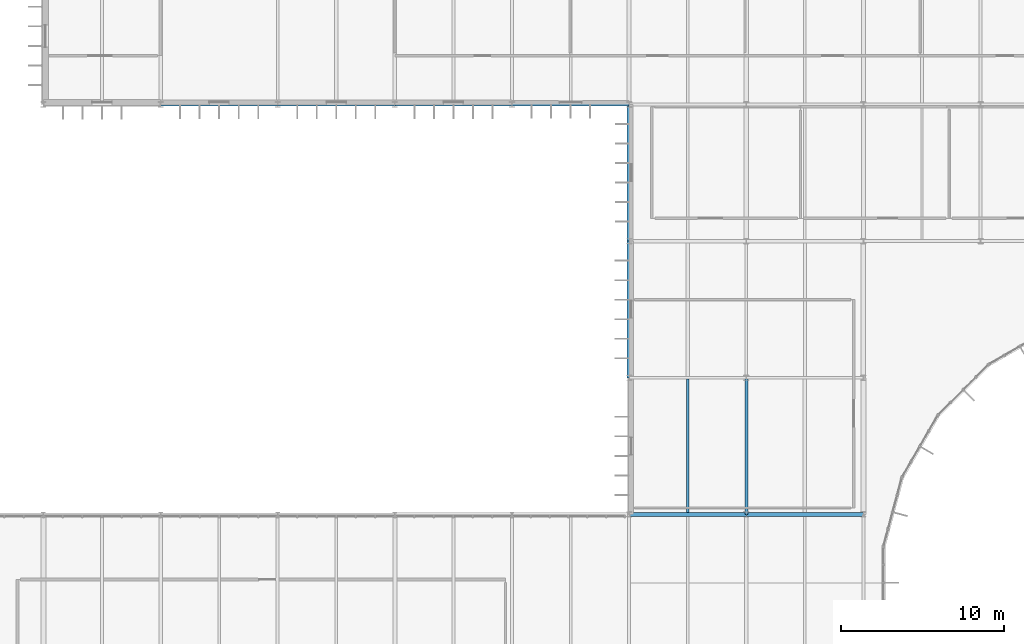
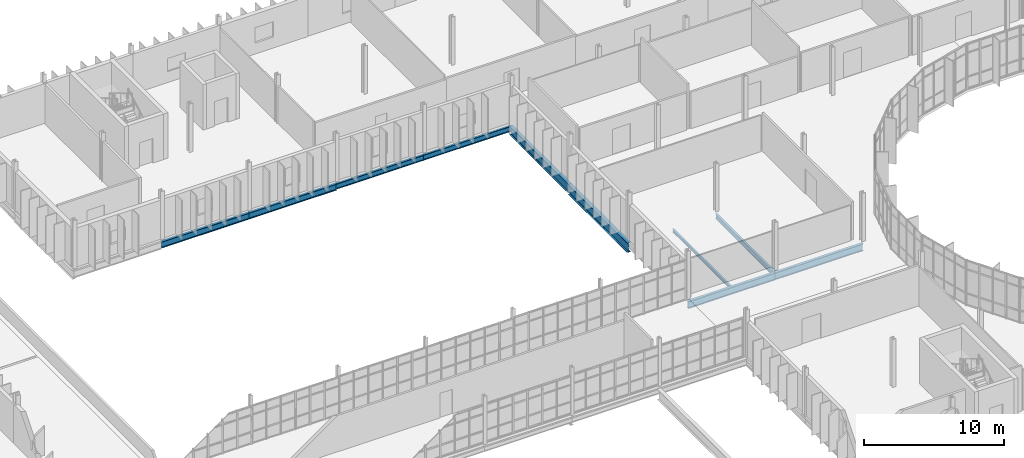
# One storey, part 46 of 99: 10 beams.
"""IFC4 building model written with IfcOpenShell, lengths in metres."""

from ifc_helpers import new_model, si_unit, direction, frame, origin, origin_2d, place, context, subcontext, project, spatial, i_section, extrude, material, material_profile, profile_set, type_object, element, save


model = new_model("IFC4")

# Units and contexts
model_context = context("Model", 3, precision=1e-05, world=origin(), true_north=direction((0.0, 1.0)))
body_context = subcontext(model_context, "Body", "Model", "MODEL_VIEW")
ifc_project = project(units=[si_unit("LENGTHUNIT", "METRE"), si_unit("AREAUNIT", "SQUARE_METRE"), si_unit("VOLUMEUNIT", "CUBIC_METRE"), si_unit("PLANEANGLEUNIT", "RADIAN"), si_unit("MASSUNIT", "GRAM", prefix="KILO")], contexts=[model_context])

# Site, building, storey
site_placement = place(None, origin())
site = spatial("IfcSite", under=ifc_project, at=site_placement, CompositionType="ELEMENT")
building_placement = place(site_placement, origin())
building = spatial("IfcBuilding", under=site, at=building_placement, Name="Qelthora Terrace Specialist Clinic", CompositionType="ELEMENT")
storey_placement = place(building_placement, frame((0.0, 0.0, 9.0)))
storey = spatial("IfcBuildingStorey", under=building, at=storey_placement, Name="L02", CompositionType="ELEMENT", Elevation=9.0)

# Beams
ifc_material = material(Name="Steel S355", Category="steel")
ifc_material_profile_1 = material_profile(ifc_material, i_section(OverallWidth=0.179931640625, OverallDepth=0.4130859375, WebThickness=0.009765625, FlangeThickness=0.01611328125, FilletRadius=0.011962890625, at=origin_2d()), Name="W410X75")
ifc_profile_set_1 = profile_set([ifc_material_profile_1], Name="Steel S355")
beam_type_1 = type_object("IfcBeamType", Name="BM-W410X75", PredefinedType="BEAM", material=ifc_profile_set_1)
beam_1_placement = place(storey_placement, frame((100.800048828125, 67.199951171875, -0.45654296875), z_axis=(0.0, 1.0, 0.0), x_axis=(-1.0, 0.0, 0.0)))
element("IfcBeam", 1, at=beam_1_placement, inside=storey, type_object=beam_type_1, Name="Girder BMY-L02-0849", PredefinedType="BEAM", context=body_context, shape_type="SweptSolid", body=[
    extrude(i_section(OverallWidth=0.179931640625, OverallDepth=0.4130859375, WebThickness=0.009765625, FlangeThickness=0.01611328125, FilletRadius=0.011962890625, at=origin_2d()), origin(), (0.0, 0.0, 1.0), 8.400146484375),
])
ifc_material_profile_2 = material_profile(ifc_material, i_section(OverallWidth=0.19091796875, OverallDepth=0.4599609375, WebThickness=0.010009765625, FlangeThickness=0.01611328125, FilletRadius=0.012939453125, at=origin_2d()), Name="W460X82")
ifc_profile_set_2 = profile_set([ifc_material_profile_2], Name="Steel S355")
beam_type_2 = type_object("IfcBeamType", Name="BM-W460X82", PredefinedType="BEAM", material=ifc_profile_set_2)
beam_2_placement = place(storey_placement, frame((86.39990234375, 92.39990234375, -0.47998046875), z_axis=(1.0, 0.0, 0.0), x_axis=(0.0, 1.0, 0.0)))
element("IfcBeam", 2, at=beam_2_placement, inside=storey, type_object=beam_type_2, Name="Girder BMX-L02-0694", PredefinedType="BEAM", context=body_context, shape_type="SweptSolid", body=[
    extrude(i_section(OverallWidth=0.19091796875, OverallDepth=0.4599609375, WebThickness=0.010009765625, FlangeThickness=0.01611328125, FilletRadius=0.012939453125, at=origin_2d()), origin(), (0.0, 0.0, 1.0), 7.2001953125),
])
ifc_material_profile_3 = material_profile(ifc_material, i_section(OverallWidth=0.193115234375, OverallDepth=0.466064453125, WebThickness=0.011474609375, FlangeThickness=0.01904296875, FilletRadius=0.012939453125, at=origin_2d()), Name="W460X97")
ifc_profile_set_3 = profile_set([ifc_material_profile_3], Name="Steel S355")
beam_type_3 = type_object("IfcBeamType", Name="BM-W460X97", PredefinedType="BEAM", material=ifc_profile_set_3)
beam_3_placement = place(storey_placement, frame((79.199951171875, 92.39990234375, -0.48291015625), z_axis=(1.0, 0.0, 0.0), x_axis=(0.0, 1.0, 0.0)))
element("IfcBeam", 3, at=beam_3_placement, inside=storey, type_object=beam_type_3, Name="Girder BMX-L02-0693", PredefinedType="BEAM", context=body_context, shape_type="SweptSolid", body=[
    extrude(i_section(OverallWidth=0.193115234375, OverallDepth=0.466064453125, WebThickness=0.011474609375, FlangeThickness=0.01904296875, FilletRadius=0.012939453125, at=origin_2d()), origin(), (0.0, 0.0, 1.0), 7.199951171875),
])
ifc_material_profile_4 = material_profile(ifc_material, i_section(OverallWidth=0.2099609375, OverallDepth=0.537109375, WebThickness=0.010986328125, FlangeThickness=0.017333984375, FilletRadius=0.013916015625, at=origin_2d()), Name="W530X101")
ifc_profile_set_4 = profile_set([ifc_material_profile_4], Name="Steel S355")
beam_type_4 = type_object("IfcBeamType", Name="BM-W530X101", PredefinedType="BEAM", material=ifc_profile_set_4)
beam_4_placement = place(storey_placement, frame((72.0, 92.39990234375, -0.5185546875), z_axis=(1.0, 0.0, 0.0), x_axis=(0.0, 1.0, 0.0)))
element("IfcBeam", 4, at=beam_4_placement, inside=storey, type_object=beam_type_4, Name="Girder BMX-L02-0692", PredefinedType="BEAM", context=body_context, shape_type="SweptSolid", body=[
    extrude(i_section(OverallWidth=0.2099609375, OverallDepth=0.537109375, WebThickness=0.010986328125, FlangeThickness=0.017333984375, FilletRadius=0.013916015625, at=origin_2d()), origin(), (0.0, 0.0, 1.0), 7.199951171875),
])
ifc_material_profile_5 = material_profile(ifc_material, i_section(OverallWidth=0.2119140625, OverallDepth=0.5439453125, WebThickness=0.01318359375, FlangeThickness=0.021240234375, FilletRadius=0.013916015625, at=origin_2d()), Name="W530X123")
ifc_profile_set_5 = profile_set([ifc_material_profile_5], Name="Steel S355")
beam_type_5 = type_object("IfcBeamType", Name="BM-W530X123", PredefinedType="BEAM", material=ifc_profile_set_5)
beam_5_placement = place(storey_placement, frame((64.800048828125, 92.39990234375, -0.52197265625), z_axis=(1.0, 0.0, 0.0), x_axis=(0.0, 1.0, 0.0)))
element("IfcBeam", 5, at=beam_5_placement, inside=storey, type_object=beam_type_5, Name="Girder BMX-L02-0691", PredefinedType="BEAM", context=body_context, shape_type="SweptSolid", body=[
    extrude(i_section(OverallWidth=0.2119140625, OverallDepth=0.5439453125, WebThickness=0.01318359375, FlangeThickness=0.021240234375, FilletRadius=0.013916015625, at=origin_2d()), origin(), (0.0, 0.0, 1.0), 7.199951171875),
])
ifc_material_profile_6 = material_profile(ifc_material, i_section(OverallWidth=0.22900390625, OverallDepth=0.612060546875, WebThickness=0.011962890625, FlangeThickness=0.01953125, FilletRadius=0.01611328125, at=origin_2d()), Name="W610X125")
ifc_profile_set_6 = profile_set([ifc_material_profile_6], Name="Steel S355")
beam_type_6 = type_object("IfcBeamType", Name="BM-W610X125", PredefinedType="BEAM", material=ifc_profile_set_6)
beam_6_placement = place(storey_placement, frame((100.800048828125, 67.199951171875, -0.555908203125), z_axis=(1.0, 0.0, 0.0), x_axis=(0.0, 1.0, 0.0)))
element("IfcBeam", 6, at=beam_6_placement, inside=storey, type_object=beam_type_6, Name="Girder BMX-L02-0662", PredefinedType="BEAM", context=body_context, shape_type="SweptSolid", body=[
    extrude(i_section(OverallWidth=0.22900390625, OverallDepth=0.612060546875, WebThickness=0.011962890625, FlangeThickness=0.01953125, FilletRadius=0.01611328125, at=origin_2d()), origin(), (0.0, 0.0, 1.0), 7.199951171875),
])
ifc_material_profile_7 = material_profile(ifc_material, i_section(OverallWidth=0.22998046875, OverallDepth=0.616943359375, WebThickness=0.01318359375, FlangeThickness=0.022216796875, FilletRadius=0.01611328125, at=origin_2d()), Name="W610X140")
ifc_profile_set_7 = profile_set([ifc_material_profile_7], Name="Steel S355")
beam_type_7 = type_object("IfcBeamType", Name="BM-W610X140", PredefinedType="BEAM", material=ifc_profile_set_7)
beam_7_placement = place(storey_placement, frame((93.60009765625, 67.199951171875, -0.55859375), z_axis=(1.0, 0.0, 0.0), x_axis=(0.0, 1.0, 0.0)))
element("IfcBeam", 7, at=beam_7_placement, inside=storey, type_object=beam_type_7, Name="Girder BMX-L02-0661", PredefinedType="BEAM", context=body_context, shape_type="SweptSolid", body=[
    extrude(i_section(OverallWidth=0.22998046875, OverallDepth=0.616943359375, WebThickness=0.01318359375, FlangeThickness=0.022216796875, FilletRadius=0.01611328125, at=origin_2d()), origin(), (0.0, 0.0, 1.0), 7.199951171875),
])
ifc_material_profile_8 = material_profile(ifc_material, i_section(OverallWidth=0.26806640625, OverallDepth=0.77001953125, WebThickness=0.015625, FlangeThickness=0.025390625, FilletRadius=0.01904296875, at=origin_2d()), Name="W760X196")
ifc_profile_set_8 = profile_set([ifc_material_profile_8], Name="Steel S355")
beam_type_8 = type_object("IfcBeamType", Name="BM-W760X196", PredefinedType="BEAM", material=ifc_profile_set_8)
beam_8_placement = place(storey_placement, frame((93.60009765625, 84.0, -0.635009765625), z_axis=(0.0, 1.0, 0.0), x_axis=(-1.0, 0.0, 0.0)))
element("IfcBeam", 8, at=beam_8_placement, inside=storey, type_object=beam_type_8, Name="Girder BMY-L02-0842", PredefinedType="BEAM", context=body_context, shape_type="SweptSolid", body=[
    extrude(i_section(OverallWidth=0.26806640625, OverallDepth=0.77001953125, WebThickness=0.015625, FlangeThickness=0.025390625, FilletRadius=0.01904296875, at=origin_2d()), origin(), (0.0, 0.0, 1.0), 8.39990234375),
])
ifc_material_profile_9 = material_profile(ifc_material, i_section(OverallWidth=0.2939453125, OverallDepth=0.85107421875, WebThickness=0.01611328125, FlangeThickness=0.02685546875, FilletRadius=0.02001953125, at=origin_2d()), Name="W840X226")
ifc_profile_set_9 = profile_set([ifc_material_profile_9], Name="Steel S355")
beam_type_9 = type_object("IfcBeamType", Name="BM-W840X226", PredefinedType="BEAM", material=ifc_profile_set_9)
beam_9_placement = place(storey_placement, frame((93.60009765625, 75.60009765625, -0.675537109375), z_axis=(0.0, 1.0, 0.0), x_axis=(-1.0, 0.0, 0.0)))
element("IfcBeam", 9, at=beam_9_placement, inside=storey, type_object=beam_type_9, Name="Girder BMY-L02-0841", PredefinedType="BEAM", context=body_context, shape_type="SweptSolid", body=[
    extrude(i_section(OverallWidth=0.2939453125, OverallDepth=0.85107421875, WebThickness=0.01611328125, FlangeThickness=0.02685546875, FilletRadius=0.02001953125, at=origin_2d()), origin(), (0.0, 0.0, 1.0), 8.39990234375),
])
ifc_material_profile_10 = material_profile(ifc_material, i_section(OverallWidth=0.14599609375, OverallDepth=0.258056640625, WebThickness=0.006103515625, FlangeThickness=0.009033203125, FilletRadius=0.009033203125, at=origin_2d()), Name="W250X33")
ifc_profile_set_10 = profile_set([ifc_material_profile_10], Name="Steel S355")
beam_type_10 = type_object("IfcBeamType", Name="JST-W250X33", PredefinedType="JOIST", material=ifc_profile_set_10)
beam_10_placement = place(storey_placement, frame((97.199951171875, 67.31494140625, -0.37890625), z_axis=(0.0, 1.0, 0.0), x_axis=(-1.0, 0.0, 0.0)))
element("IfcBeam", 10, at=beam_10_placement, inside=storey, type_object=beam_type_10, Name="Composite floor joist JST-L02-0186", PredefinedType="JOIST", context=body_context, shape_type="SweptSolid", body=[
    extrude(i_section(OverallWidth=0.14599609375, OverallDepth=0.258056640625, WebThickness=0.006103515625, FlangeThickness=0.009033203125, FilletRadius=0.009033203125, at=origin_2d()), origin(), (0.0, 0.0, 1.0), 8.195068359375),
])

save(model, "model.ifc")
